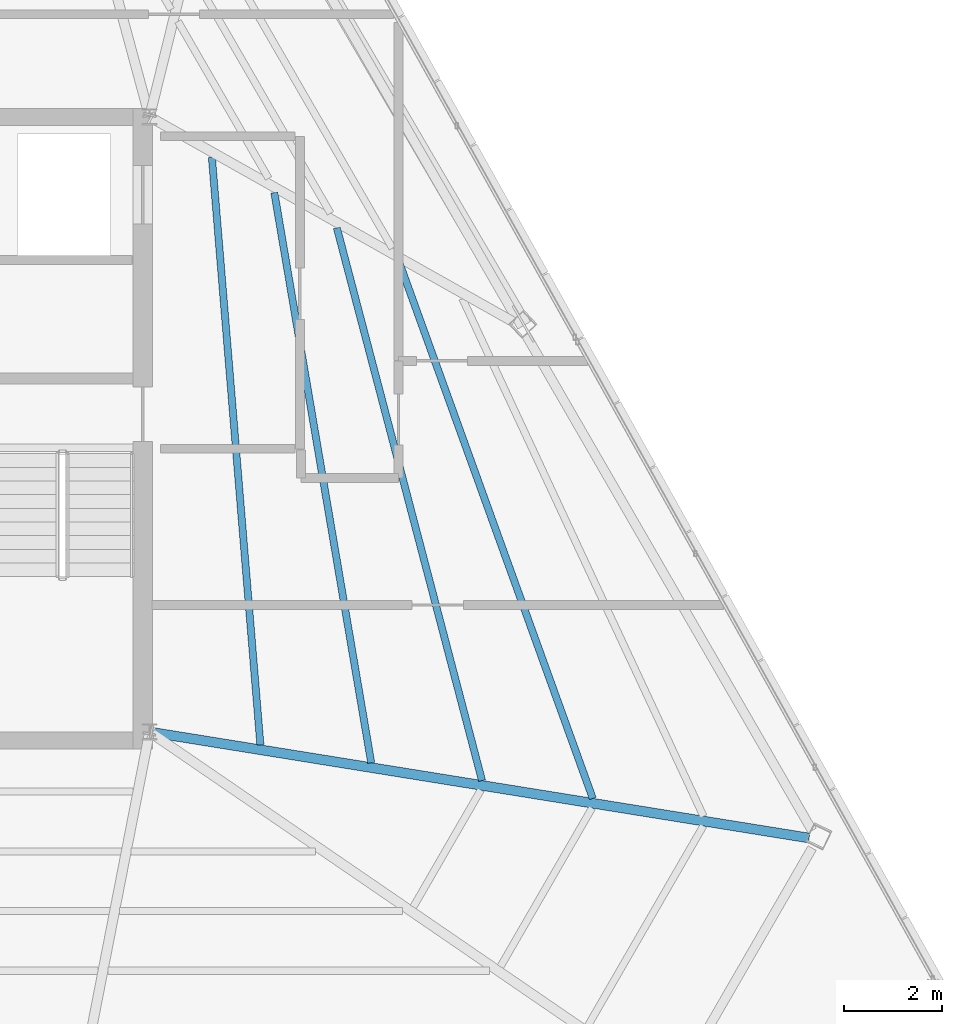
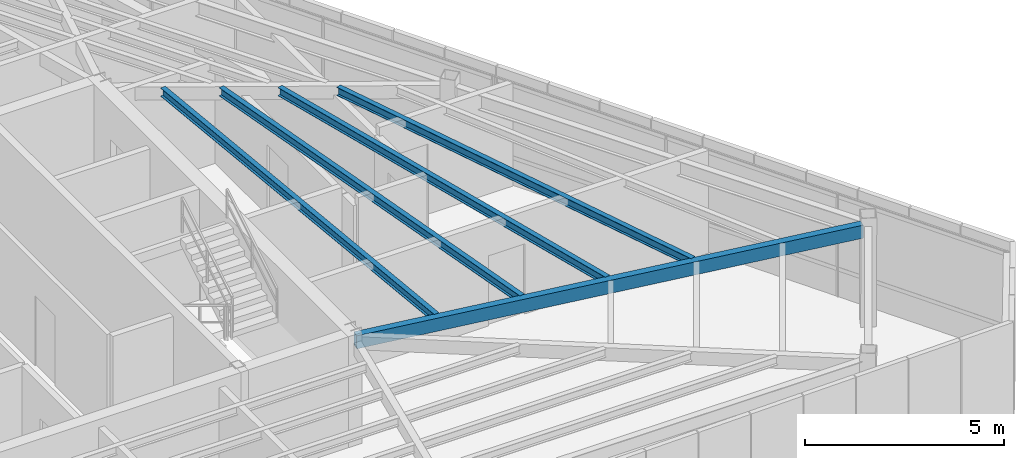
# One storey, part 24 of 44: 5 beams.
"""IFC4 building model written with IfcOpenShell, lengths in metres."""

from ifc_helpers import new_model, si_unit, direction, frame, origin, origin_2d, place, context, subcontext, project, spatial, hollow_rectangle, i_section, extrude, source, transform, mapped, material, material_profile, profile_set, type_object, type_shapes, element, save


model = new_model("IFC4")

# Units and contexts
model_context = context("Model", 3, precision=1e-05, world=origin(), true_north=direction((0.0, 1.0)))
body_context = subcontext(model_context, "Body", "Model", "MODEL_VIEW")
ifc_project = project(units=[si_unit("LENGTHUNIT", "METRE"), si_unit("AREAUNIT", "SQUARE_METRE"), si_unit("VOLUMEUNIT", "CUBIC_METRE"), si_unit("PLANEANGLEUNIT", "RADIAN"), si_unit("MASSUNIT", "GRAM", prefix="KILO")], contexts=[model_context])

# Site, building, storey
site_placement = place(None, origin())
site = spatial("IfcSite", under=ifc_project, at=site_placement, CompositionType="ELEMENT")
building_placement = place(site_placement, origin())
building = spatial("IfcBuilding", under=site, at=building_placement, Name="Caelisora Broadcast Tower", CompositionType="ELEMENT")
storey_placement = place(building_placement, frame((0.0, 0.0, 289.800048828125)))
storey = spatial("IfcBuildingStorey", under=building, at=storey_placement, Name="L76", CompositionType="ELEMENT", Elevation=289.800048828125)

# Beams
ifc_material_1 = material(Name="Steel Grade 350 (AS/NZS 1163 C350L0)", Category="steel")
ifc_material_profile_1 = material_profile(ifc_material_1, hollow_rectangle(XDim=0.199951171875, YDim=0.39990234375, WallThickness=0.012451171875, at=origin_2d()), Name="Steel Grade 350 (AS/NZS 1163 C350L0)")
ifc_profile_set_1 = profile_set([ifc_material_profile_1], Name="Steel Grade 350 (AS/NZS 1163 C350L0)")
beam_type_1 = type_object("IfcBeamType", Name="PG07", PredefinedType="BEAM", material=ifc_profile_set_1)
shared_shape_1 = source(origin(), body_context, "Body", "SweptSolid", [
    extrude(hollow_rectangle(XDim=0.199951171875, YDim=0.39990234375, WallThickness=0.012451171875, at=origin_2d()), origin(), (0.0, 0.0, 1.0), 13.624267578125),
])
type_shapes(beam_type_1, [shared_shape_1])
beam_1_placement = place(storey_placement, frame((45.55908203125, 17.390380859375, 2.949951171875), z_axis=(0.987304740976, -0.15883749068, 0.0), x_axis=(0.15883749068, 0.987304740976, 0.0)))
element("IfcBeam", 1, at=beam_1_placement, inside=storey, type_object=beam_type_1, Name="L76 beam PG07", PredefinedType="BEAM", context=body_context, shape_type="MappedRepresentation", body=[
    mapped(shared_shape_1, transform((0.0, 0.0, 0.0), scale=1.0)),
])
ifc_material_2 = material(Name="Steel Grade 350 (AS/NZS 3679.1)", Category="steel")
ifc_material_profile_2 = material_profile(ifc_material_2, i_section(OverallWidth=0.14599609375, OverallDepth=0.256103515625, WebThickness=0.00634765625, FlangeThickness=0.010986328125, at=origin_2d()), Name="Steel Grade 350 (AS/NZS 3679.1)")
ifc_profile_set_2 = profile_set([ifc_material_profile_2], Name="Steel Grade 350 (AS/NZS 3679.1)")
beam_type_2 = type_object("IfcBeamType", Name="SB04", PredefinedType="JOIST", material=ifc_profile_set_2)
shared_shape_2 = source(origin(), body_context, "Body", "SweptSolid", [
    extrude(i_section(OverallWidth=0.14599609375, OverallDepth=0.256103515625, WebThickness=0.00634765625, FlangeThickness=0.010986328125, at=origin_2d()), origin(), (0.0, 0.0, 1.0), 12.076416015625),
])
beam_2_placement = place(storey_placement, frame((47.771240234375, 17.1328125, 3.02197265625), z_axis=(-0.082280856215, 0.996609181525, 0.0), x_axis=(-0.996609181525, -0.082280856215, 0.0)))
element("IfcBeam", 2, at=beam_2_placement, inside=storey, type_object=beam_type_2, Name="L76 beam SB04", PredefinedType="JOIST", context=body_context, shape_type="MappedRepresentation", body=[
    mapped(shared_shape_2, transform((0.0, 0.0, 0.0), scale=1.0)),
])
shared_shape_3 = source(origin(), body_context, "Body", "SweptSolid", [
    extrude(i_section(OverallWidth=0.14599609375, OverallDepth=0.256103515625, WebThickness=0.00634765625, FlangeThickness=0.010986328125, at=origin_2d()), origin(), (0.0, 0.0, 1.0), 11.846923828125),
])
beam_3_placement = place(storey_placement, frame((50.04150390625, 16.767578125, 3.02197265625), z_axis=(-0.167542817081, 0.985864800287, 0.0), x_axis=(-0.985864800287, -0.167542817081, 0.0)))
element("IfcBeam", 3, at=beam_3_placement, inside=storey, type_object=beam_type_2, Name="L76 beam SB04", PredefinedType="JOIST", context=body_context, shape_type="MappedRepresentation", body=[
    mapped(shared_shape_3, transform((0.0, 0.0, 0.0), scale=1.0)),
])
shared_shape_4 = source(origin(), body_context, "Body", "SweptSolid", [
    extrude(i_section(OverallWidth=0.14599609375, OverallDepth=0.256103515625, WebThickness=0.00634765625, FlangeThickness=0.010986328125, at=origin_2d()), origin(), (0.0, 0.0, 1.0), 11.7060546875),
])
beam_4_placement = place(storey_placement, frame((52.311279296875, 16.402587890625, 3.02197265625), z_axis=(-0.254006660332, 0.967202469242, 0.0), x_axis=(-0.967202469242, -0.254006660332, 0.0)))
element("IfcBeam", 4, at=beam_4_placement, inside=storey, type_object=beam_type_2, Name="L76 beam SB04", PredefinedType="JOIST", context=body_context, shape_type="MappedRepresentation", body=[
    mapped(shared_shape_4, transform((0.0, 0.0, 0.0), scale=1.0)),
])
shared_shape_5 = source(origin(), body_context, "Body", "SweptSolid", [
    extrude(i_section(OverallWidth=0.14599609375, OverallDepth=0.256103515625, WebThickness=0.00634765625, FlangeThickness=0.010986328125, at=origin_2d()), origin(), (0.0, 0.0, 1.0), 11.655517578125),
])
type_shapes(beam_type_2, [shared_shape_2, shared_shape_3, shared_shape_4, shared_shape_5])
beam_5_placement = place(storey_placement, frame((54.579833984375, 16.037841796875, 3.02197265625), z_axis=(-0.339564165133, 0.94058289255, 0.0), x_axis=(-0.94058289255, -0.339564165133, 0.0)))
element("IfcBeam", 5, at=beam_5_placement, inside=storey, type_object=beam_type_2, Name="L76 beam SB04", PredefinedType="JOIST", context=body_context, shape_type="MappedRepresentation", body=[
    mapped(shared_shape_5, transform((0.0, 0.0, 0.0), scale=1.0)),
])

save(model, "model.ifc")
